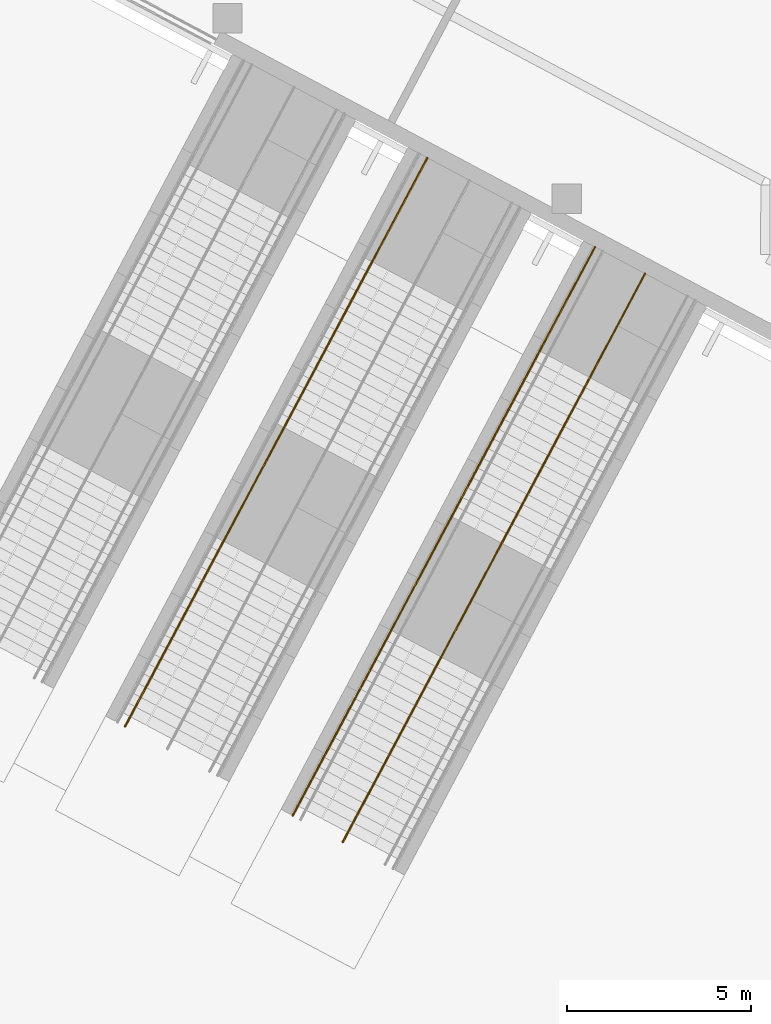
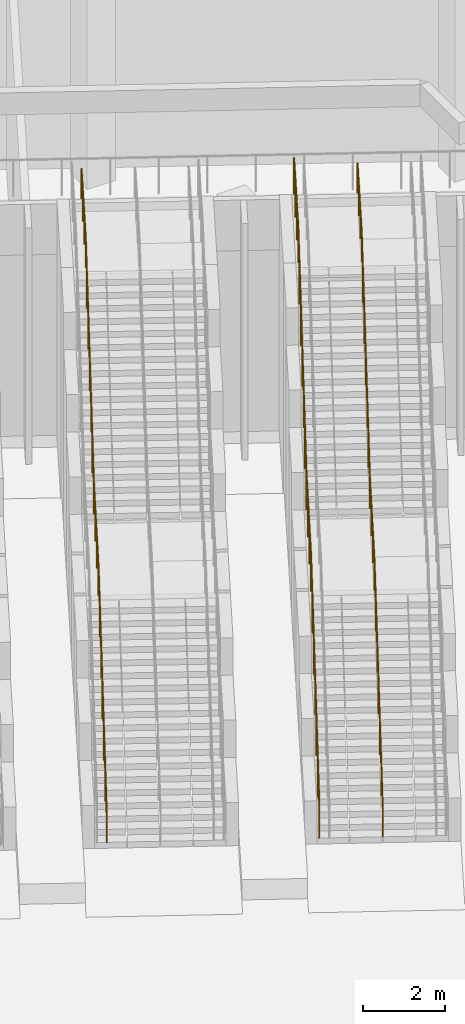
# One storey, part 40 of 57: 3 railings.
"""IFC4 building model written with IfcOpenShell, lengths in metres."""

from ifc_helpers import new_model, si_unit, direction, frame, origin, place, context, subcontext, project, spatial, polyline, outline, extrude, material, type_object, element, save


model = new_model("IFC4")

# Units and contexts
model_context = context("Model", 3, precision=1e-05, world=origin(), true_north=direction((0.0, 1.0)))
body_context = subcontext(model_context, "Body", "Model", "MODEL_VIEW")
ifc_project = project(units=[si_unit("LENGTHUNIT", "METRE"), si_unit("AREAUNIT", "SQUARE_METRE"), si_unit("VOLUMEUNIT", "CUBIC_METRE"), si_unit("PLANEANGLEUNIT", "RADIAN"), si_unit("MASSUNIT", "GRAM", prefix="KILO")], contexts=[model_context])

# Site, building, storey
site_placement = place(None, origin())
site = spatial("IfcSite", under=ifc_project, at=site_placement, CompositionType="ELEMENT")
building_placement = place(site_placement, origin())
building = spatial("IfcBuilding", under=site, at=building_placement, Name="Cormorant Relay Tower", CompositionType="ELEMENT")
storey_placement = place(building_placement, origin())
storey = spatial("IfcBuildingStorey", under=building, at=storey_placement, Name="L00", CompositionType="ELEMENT", Elevation=0.0)

# Railings
ifc_material_1 = material(Name="Stainless steel 316", Category="steel")
railing_type_1 = type_object("IfcRailingType", Name="Podium stair handrail 900", PredefinedType="HANDRAIL", material=ifc_material_1)
railing_1_placement = place(storey_placement, frame((-32.2783203125, -20.212158203125, 7.0)))
element("IfcRailing", 1, at=railing_1_placement, inside=storey, type_object=railing_type_1, Name="Stair handrail", PredefinedType="HANDRAIL", context=body_context, shape_type="SweptSolid", body=[
    extrude(outline(polyline([(0.022216796875, 0.00927734375), (0.00927734375, 0.022216796875), (-0.00927734375, 0.022216796875), (-0.022216796875, 0.00927734375), (-0.022216796875, -0.00927734375), (-0.00927734375, -0.022216796875), (0.00927734375, -0.022216796875), (0.022216796875, -0.00927734375), (0.022216796875, 0.00927734375)])), frame((0.0, 0.0, 0.8759765625), z_axis=(-0.469434248776, -0.882967432059, 0.0), x_axis=(0.882967432059, -0.469434248776, 0.0)), (0.0, 0.0, 1.0), 2.89990234375),
    extrude(outline(polyline([(0.022216796875, 0.00927734375), (0.00927734375, 0.022216796875), (-0.00927734375, 0.022216796875), (-0.022216796875, 0.00927734375), (-0.022216796875, -0.00927734375), (-0.00927734375, -0.022216796875), (0.00927734375, -0.022216796875), (0.022216796875, -0.00927734375), (0.022216796875, 0.00927734375)])), frame((-1.361328125, -2.560546875, 0.8759765625), z_axis=(-0.40552993965, -0.762667108471, -0.50386937762), x_axis=(0.882941524652, -0.469482975245, 0.0)), (0.0, 0.0, 1.0), 6.598876953125),
    extrude(outline(polyline([(0.022216796875, 0.00927734375), (0.00927734375, 0.022216796875), (-0.00927734375, 0.022216796875), (-0.022216796875, 0.00927734375), (-0.022216796875, -0.00927734375), (-0.00927734375, -0.022216796875), (0.00927734375, -0.022216796875), (0.022216796875, -0.00927734375), (0.022216796875, 0.00927734375)])), frame((-4.037353515625, -7.59326171875, -2.44921875), z_axis=(-0.468802026207, -0.881612910187, -0.05461993058), x_axis=(0.88293093413, -0.469502891958, 0.0)), (0.0, 0.0, 1.0), 3.204833984375),
    extrude(outline(polyline([(0.022216796875, 0.00927734375), (0.00927734375, 0.022216796875), (-0.00927734375, 0.022216796875), (-0.022216796875, 0.00927734375), (-0.022216796875, -0.00927734375), (-0.00927734375, -0.022216796875), (0.00927734375, -0.022216796875), (0.022216796875, -0.00927734375), (0.022216796875, 0.00927734375)])), frame((-5.539794921875, -10.418701171875, -2.6240234375), z_axis=(-0.405487583814, -0.762694027401, -0.503862719339), x_axis=(0.882968718533, -0.469431829014, 0.0)), (0.0, 0.0, 1.0), 6.598876953125),
    extrude(outline(polyline([(0.019287109375, 0.008056640625), (0.008056640625, 0.019287109375), (-0.008056640625, 0.019287109375), (-0.019287109375, 0.008056640625), (-0.019287109375, -0.008056640625), (-0.008056640625, -0.019287109375), (0.008056640625, -0.019287109375), (0.019287109375, -0.008056640625), (0.019287109375, 0.008056640625)])), origin(), (0.0, 0.0, 1.0), 0.851806640625),
    extrude(outline(polyline([(0.019287109375, 0.008056640625), (0.008056640625, 0.019287109375), (-0.008056640625, 0.019287109375), (-0.019287109375, 0.008056640625), (-0.019287109375, -0.008056640625), (-0.008056640625, -0.019287109375), (0.008056640625, -0.019287109375), (0.019287109375, -0.008056640625), (0.019287109375, 0.008056640625)])), frame((-0.453857421875, -0.853515625, 0.0)), (0.0, 0.0, 1.0), 0.851806640625),
    extrude(outline(polyline([(0.019287109375, 0.008056640625), (0.008056640625, 0.019287109375), (-0.008056640625, 0.019287109375), (-0.019287109375, 0.008056640625), (-0.019287109375, -0.008056640625), (-0.008056640625, -0.019287109375), (0.008056640625, -0.019287109375), (0.019287109375, -0.008056640625), (0.019287109375, 0.008056640625)])), frame((-0.907470703125, -1.70703125, 0.0)), (0.0, 0.0, 1.0), 0.851806640625),
    extrude(outline(polyline([(0.019287109375, 0.008056640625), (0.008056640625, 0.019287109375), (-0.008056640625, 0.019287109375), (-0.019287109375, 0.008056640625), (-0.019287109375, -0.008056640625), (-0.008056640625, -0.019287109375), (0.008056640625, -0.019287109375), (0.019287109375, -0.008056640625), (0.019287109375, 0.008056640625)])), frame((-1.361328125, -2.560546875, 0.0)), (0.0, 0.0, 1.0), 0.851806640625),
    extrude(outline(polyline([(0.019287109375, 0.008056640625), (0.008056640625, 0.019287109375), (-0.008056640625, 0.019287109375), (-0.019287109375, 0.008056640625), (-0.019287109375, -0.008056640625), (-0.008056640625, -0.019287109375), (0.008056640625, -0.019287109375), (0.019287109375, -0.008056640625), (0.019287109375, 0.008056640625)])), frame((-1.807373046875, -3.3994140625, -0.55419921875)), (0.0, 0.0, 1.0), 0.851806640625),
    extrude(outline(polyline([(0.019287109375, 0.008056640625), (0.008056640625, 0.019287109375), (-0.008056640625, 0.019287109375), (-0.019287109375, 0.008056640625), (-0.019287109375, -0.008056640625), (-0.008056640625, -0.019287109375), (0.008056640625, -0.019287109375), (0.019287109375, -0.008056640625), (0.019287109375, 0.008056640625)])), frame((-2.25341796875, -4.238037109375, -1.1083984375)), (0.0, 0.0, 1.0), 0.851806640625),
    extrude(outline(polyline([(0.019287109375, 0.008056640625), (0.008056640625, 0.019287109375), (-0.008056640625, 0.019287109375), (-0.019287109375, 0.008056640625), (-0.019287109375, -0.008056640625), (-0.008056640625, -0.019287109375), (0.008056640625, -0.019287109375), (0.019287109375, -0.008056640625), (0.019287109375, 0.008056640625)])), frame((-2.69921875, -5.076904296875, -1.66259765625)), (0.0, 0.0, 1.0), 0.851806640625),
    extrude(outline(polyline([(0.019287109375, 0.008056640625), (0.008056640625, 0.019287109375), (-0.008056640625, 0.019287109375), (-0.019287109375, 0.008056640625), (-0.019287109375, -0.008056640625), (-0.008056640625, -0.019287109375), (0.008056640625, -0.019287109375), (0.019287109375, -0.008056640625), (0.019287109375, 0.008056640625)])), frame((-3.145263671875, -5.915771484375, -2.216552734375)), (0.0, 0.0, 1.0), 0.851806640625),
    extrude(outline(polyline([(0.019287109375, 0.008056640625), (0.008056640625, 0.019287109375), (-0.008056640625, 0.019287109375), (-0.019287109375, 0.008056640625), (-0.019287109375, -0.008056640625), (-0.008056640625, -0.019287109375), (0.008056640625, -0.019287109375), (0.019287109375, -0.008056640625), (0.019287109375, 0.008056640625)])), frame((-3.59130859375, -6.75439453125, -2.770751953125)), (0.0, 0.0, 1.0), 0.851806640625),
    extrude(outline(polyline([(0.019287109375, 0.008056640625), (0.008056640625, 0.019287109375), (-0.008056640625, 0.019287109375), (-0.019287109375, 0.008056640625), (-0.019287109375, -0.008056640625), (-0.008056640625, -0.019287109375), (0.008056640625, -0.019287109375), (0.019287109375, -0.008056640625), (0.019287109375, 0.008056640625)])), frame((-4.037353515625, -7.59326171875, -3.324951171875)), (0.0, 0.0, 1.0), 0.851806640625),
    extrude(outline(polyline([(0.019287109375, 0.008056640625), (0.008056640625, 0.019287109375), (-0.008056640625, 0.019287109375), (-0.019287109375, 0.008056640625), (-0.019287109375, -0.008056640625), (-0.008056640625, -0.019287109375), (0.008056640625, -0.019287109375), (0.019287109375, -0.008056640625), (0.019287109375, 0.008056640625)])), frame((-4.5380859375, -8.53515625, -3.38330078125)), (0.0, 0.0, 1.0), 0.851806640625),
    extrude(outline(polyline([(0.019287109375, 0.008056640625), (0.008056640625, 0.019287109375), (-0.008056640625, 0.019287109375), (-0.019287109375, 0.008056640625), (-0.019287109375, -0.008056640625), (-0.008056640625, -0.019287109375), (0.008056640625, -0.019287109375), (0.019287109375, -0.008056640625), (0.019287109375, 0.008056640625)])), frame((-5.0390625, -9.476806640625, -3.441650390625)), (0.0, 0.0, 1.0), 0.851806640625),
    extrude(outline(polyline([(0.019287109375, 0.008056640625), (0.008056640625, 0.019287109375), (-0.008056640625, 0.019287109375), (-0.019287109375, 0.008056640625), (-0.019287109375, -0.008056640625), (-0.008056640625, -0.019287109375), (0.008056640625, -0.019287109375), (0.019287109375, -0.008056640625), (0.019287109375, 0.008056640625)])), frame((-5.539794921875, -10.418701171875, -3.5)), (0.0, 0.0, 1.0), 0.851806640625),
    extrude(outline(polyline([(0.019287109375, 0.008056640625), (0.008056640625, 0.019287109375), (-0.008056640625, 0.019287109375), (-0.019287109375, 0.008056640625), (-0.019287109375, -0.008056640625), (-0.008056640625, -0.019287109375), (0.008056640625, -0.019287109375), (0.019287109375, -0.008056640625), (0.019287109375, 0.008056640625)])), frame((-5.98583984375, -11.257568359375, -4.05419921875)), (0.0, 0.0, 1.0), 0.851806640625),
    extrude(outline(polyline([(0.019287109375, 0.008056640625), (0.008056640625, 0.019287109375), (-0.008056640625, 0.019287109375), (-0.019287109375, 0.008056640625), (-0.019287109375, -0.008056640625), (-0.008056640625, -0.019287109375), (0.008056640625, -0.019287109375), (0.019287109375, -0.008056640625), (0.019287109375, 0.008056640625)])), frame((-6.431640625, -12.096435546875, -4.6083984375)), (0.0, 0.0, 1.0), 0.851806640625),
    extrude(outline(polyline([(0.019287109375, 0.008056640625), (0.008056640625, 0.019287109375), (-0.008056640625, 0.019287109375), (-0.019287109375, 0.008056640625), (-0.019287109375, -0.008056640625), (-0.008056640625, -0.019287109375), (0.008056640625, -0.019287109375), (0.019287109375, -0.008056640625), (0.019287109375, 0.008056640625)])), frame((-6.877685546875, -12.93505859375, -5.16259765625)), (0.0, 0.0, 1.0), 0.851806640625),
    extrude(outline(polyline([(0.019287109375, 0.008056640625), (0.008056640625, 0.019287109375), (-0.008056640625, 0.019287109375), (-0.019287109375, 0.008056640625), (-0.019287109375, -0.008056640625), (-0.008056640625, -0.019287109375), (0.008056640625, -0.019287109375), (0.019287109375, -0.008056640625), (0.019287109375, 0.008056640625)])), frame((-7.32373046875, -13.77392578125, -5.716552734375)), (0.0, 0.0, 1.0), 0.851806640625),
    extrude(outline(polyline([(0.019287109375, 0.008056640625), (0.008056640625, 0.019287109375), (-0.008056640625, 0.019287109375), (-0.019287109375, 0.008056640625), (-0.019287109375, -0.008056640625), (-0.008056640625, -0.019287109375), (0.008056640625, -0.019287109375), (0.019287109375, -0.008056640625), (0.019287109375, 0.008056640625)])), frame((-7.76953125, -14.61279296875, -6.270751953125)), (0.0, 0.0, 1.0), 0.851806640625),
    extrude(outline(polyline([(0.019287109375, 0.008056640625), (0.008056640625, 0.019287109375), (-0.008056640625, 0.019287109375), (-0.019287109375, 0.008056640625), (-0.019287109375, -0.008056640625), (-0.008056640625, -0.019287109375), (0.008056640625, -0.019287109375), (0.019287109375, -0.008056640625), (0.019287109375, 0.008056640625)])), frame((-8.215576171875, -15.45166015625, -6.824951171875)), (0.0, 0.0, 1.0), 0.851806640625),
])
railing_2_placement = place(storey_placement, frame((-26.362548828125, -23.357666015625, 7.0)))
element("IfcRailing", 2, at=railing_2_placement, inside=storey, type_object=railing_type_1, Name="Stair handrail", PredefinedType="HANDRAIL", context=body_context, shape_type="SweptSolid", body=[
    extrude(outline(polyline([(0.022216796875, 0.00927734375), (0.00927734375, 0.022216796875), (-0.00927734375, 0.022216796875), (-0.022216796875, 0.00927734375), (-0.022216796875, -0.00927734375), (-0.00927734375, -0.022216796875), (0.00927734375, -0.022216796875), (0.022216796875, -0.00927734375), (0.022216796875, 0.00927734375)])), frame((0.0, 0.0, 0.8759765625), z_axis=(-0.469499880774, -0.882932535335, 0.0), x_axis=(0.882932535335, -0.469499880774, 0.0)), (0.0, 0.0, 1.0), 2.900146484375),
    extrude(outline(polyline([(0.022216796875, 0.00927734375), (0.00927734375, 0.022216796875), (-0.00927734375, 0.022216796875), (-0.022216796875, 0.00927734375), (-0.022216796875, -0.00927734375), (-0.00927734375, -0.022216796875), (0.00927734375, -0.022216796875), (0.022216796875, -0.00927734375), (0.022216796875, 0.00927734375)])), frame((-1.361572265625, -2.560546875, 0.8759765625), z_axis=(-0.405499025835, -0.762678550964, -0.503876937304), x_axis=(0.88295927941, -0.469449582921, 0.0)), (0.0, 0.0, 1.0), 6.5986328125),
    extrude(outline(polyline([(0.022216796875, 0.00927734375), (0.00927734375, 0.022216796875), (-0.00927734375, 0.022216796875), (-0.022216796875, 0.00927734375), (-0.022216796875, -0.00927734375), (-0.00927734375, -0.022216796875), (0.00927734375, -0.022216796875), (0.022216796875, -0.00927734375), (0.022216796875, 0.00927734375)])), frame((-4.037353515625, -7.59326171875, -2.44921875), z_axis=(-0.468802026207, -0.881612910187, -0.05461993058), x_axis=(0.88293093413, -0.469502891958, 0.0)), (0.0, 0.0, 1.0), 3.204833984375),
    extrude(outline(polyline([(0.022216796875, 0.00927734375), (0.00927734375, 0.022216796875), (-0.00927734375, 0.022216796875), (-0.022216796875, 0.00927734375), (-0.022216796875, -0.00927734375), (-0.00927734375, -0.022216796875), (0.00927734375, -0.022216796875), (0.022216796875, -0.00927734375), (0.022216796875, 0.00927734375)])), frame((-5.539794921875, -10.418701171875, -2.6240234375), z_axis=(-0.40552993965, -0.762667108471, -0.50386937762), x_axis=(0.882941524652, -0.469482975245, 0.0)), (0.0, 0.0, 1.0), 6.598876953125),
    extrude(outline(polyline([(0.019287109375, 0.008056640625), (0.008056640625, 0.019287109375), (-0.008056640625, 0.019287109375), (-0.019287109375, 0.008056640625), (-0.019287109375, -0.008056640625), (-0.008056640625, -0.019287109375), (0.008056640625, -0.019287109375), (0.019287109375, -0.008056640625), (0.019287109375, 0.008056640625)])), origin(), (0.0, 0.0, 1.0), 0.851806640625),
    extrude(outline(polyline([(0.019287109375, 0.008056640625), (0.008056640625, 0.019287109375), (-0.008056640625, 0.019287109375), (-0.019287109375, 0.008056640625), (-0.019287109375, -0.008056640625), (-0.008056640625, -0.019287109375), (0.008056640625, -0.019287109375), (0.019287109375, -0.008056640625), (0.019287109375, 0.008056640625)])), frame((-0.453857421875, -0.853515625, 0.0)), (0.0, 0.0, 1.0), 0.851806640625),
    extrude(outline(polyline([(0.019287109375, 0.008056640625), (0.008056640625, 0.019287109375), (-0.008056640625, 0.019287109375), (-0.019287109375, 0.008056640625), (-0.019287109375, -0.008056640625), (-0.008056640625, -0.019287109375), (0.008056640625, -0.019287109375), (0.019287109375, -0.008056640625), (0.019287109375, 0.008056640625)])), frame((-0.90771484375, -1.70703125, 0.0)), (0.0, 0.0, 1.0), 0.851806640625),
    extrude(outline(polyline([(0.019287109375, 0.008056640625), (0.008056640625, 0.019287109375), (-0.008056640625, 0.019287109375), (-0.019287109375, 0.008056640625), (-0.019287109375, -0.008056640625), (-0.008056640625, -0.019287109375), (0.008056640625, -0.019287109375), (0.019287109375, -0.008056640625), (0.019287109375, 0.008056640625)])), frame((-1.361572265625, -2.560546875, 0.0)), (0.0, 0.0, 1.0), 0.851806640625),
    extrude(outline(polyline([(0.019287109375, 0.008056640625), (0.008056640625, 0.019287109375), (-0.008056640625, 0.019287109375), (-0.019287109375, 0.008056640625), (-0.019287109375, -0.008056640625), (-0.008056640625, -0.019287109375), (0.008056640625, -0.019287109375), (0.019287109375, -0.008056640625), (0.019287109375, 0.008056640625)])), frame((-1.8076171875, -3.3994140625, -0.55419921875)), (0.0, 0.0, 1.0), 0.851806640625),
    extrude(outline(polyline([(0.019287109375, 0.008056640625), (0.008056640625, 0.019287109375), (-0.008056640625, 0.019287109375), (-0.019287109375, 0.008056640625), (-0.019287109375, -0.008056640625), (-0.008056640625, -0.019287109375), (0.008056640625, -0.019287109375), (0.019287109375, -0.008056640625), (0.019287109375, 0.008056640625)])), frame((-2.25341796875, -4.238037109375, -1.1083984375)), (0.0, 0.0, 1.0), 0.851806640625),
    extrude(outline(polyline([(0.019287109375, 0.008056640625), (0.008056640625, 0.019287109375), (-0.008056640625, 0.019287109375), (-0.019287109375, 0.008056640625), (-0.019287109375, -0.008056640625), (-0.008056640625, -0.019287109375), (0.008056640625, -0.019287109375), (0.019287109375, -0.008056640625), (0.019287109375, 0.008056640625)])), frame((-2.699462890625, -5.076904296875, -1.66259765625)), (0.0, 0.0, 1.0), 0.851806640625),
    extrude(outline(polyline([(0.019287109375, 0.008056640625), (0.008056640625, 0.019287109375), (-0.008056640625, 0.019287109375), (-0.019287109375, 0.008056640625), (-0.019287109375, -0.008056640625), (-0.008056640625, -0.019287109375), (0.008056640625, -0.019287109375), (0.019287109375, -0.008056640625), (0.019287109375, 0.008056640625)])), frame((-3.1455078125, -5.915771484375, -2.216552734375)), (0.0, 0.0, 1.0), 0.851806640625),
    extrude(outline(polyline([(0.019287109375, 0.008056640625), (0.008056640625, 0.019287109375), (-0.008056640625, 0.019287109375), (-0.019287109375, 0.008056640625), (-0.019287109375, -0.008056640625), (-0.008056640625, -0.019287109375), (0.008056640625, -0.019287109375), (0.019287109375, -0.008056640625), (0.019287109375, 0.008056640625)])), frame((-3.59130859375, -6.75439453125, -2.770751953125)), (0.0, 0.0, 1.0), 0.851806640625),
    extrude(outline(polyline([(0.019287109375, 0.008056640625), (0.008056640625, 0.019287109375), (-0.008056640625, 0.019287109375), (-0.019287109375, 0.008056640625), (-0.019287109375, -0.008056640625), (-0.008056640625, -0.019287109375), (0.008056640625, -0.019287109375), (0.019287109375, -0.008056640625), (0.019287109375, 0.008056640625)])), frame((-4.037353515625, -7.59326171875, -3.324951171875)), (0.0, 0.0, 1.0), 0.851806640625),
    extrude(outline(polyline([(0.019287109375, 0.008056640625), (0.008056640625, 0.019287109375), (-0.008056640625, 0.019287109375), (-0.019287109375, 0.008056640625), (-0.019287109375, -0.008056640625), (-0.008056640625, -0.019287109375), (0.008056640625, -0.019287109375), (0.019287109375, -0.008056640625), (0.019287109375, 0.008056640625)])), frame((-4.5380859375, -8.53515625, -3.38330078125)), (0.0, 0.0, 1.0), 0.851806640625),
    extrude(outline(polyline([(0.019287109375, 0.008056640625), (0.008056640625, 0.019287109375), (-0.008056640625, 0.019287109375), (-0.019287109375, 0.008056640625), (-0.019287109375, -0.008056640625), (-0.008056640625, -0.019287109375), (0.008056640625, -0.019287109375), (0.019287109375, -0.008056640625), (0.019287109375, 0.008056640625)])), frame((-5.0390625, -9.476806640625, -3.441650390625)), (0.0, 0.0, 1.0), 0.851806640625),
    extrude(outline(polyline([(0.019287109375, 0.008056640625), (0.008056640625, 0.019287109375), (-0.008056640625, 0.019287109375), (-0.019287109375, 0.008056640625), (-0.019287109375, -0.008056640625), (-0.008056640625, -0.019287109375), (0.008056640625, -0.019287109375), (0.019287109375, -0.008056640625), (0.019287109375, 0.008056640625)])), frame((-5.539794921875, -10.418701171875, -3.5)), (0.0, 0.0, 1.0), 0.851806640625),
    extrude(outline(polyline([(0.019287109375, 0.008056640625), (0.008056640625, 0.019287109375), (-0.008056640625, 0.019287109375), (-0.019287109375, 0.008056640625), (-0.019287109375, -0.008056640625), (-0.008056640625, -0.019287109375), (0.008056640625, -0.019287109375), (0.019287109375, -0.008056640625), (0.019287109375, 0.008056640625)])), frame((-5.98583984375, -11.257568359375, -4.05419921875)), (0.0, 0.0, 1.0), 0.851806640625),
    extrude(outline(polyline([(0.019287109375, 0.008056640625), (0.008056640625, 0.019287109375), (-0.008056640625, 0.019287109375), (-0.019287109375, 0.008056640625), (-0.019287109375, -0.008056640625), (-0.008056640625, -0.019287109375), (0.008056640625, -0.019287109375), (0.019287109375, -0.008056640625), (0.019287109375, 0.008056640625)])), frame((-6.431884765625, -12.09619140625, -4.6083984375)), (0.0, 0.0, 1.0), 0.851806640625),
    extrude(outline(polyline([(0.019287109375, 0.008056640625), (0.008056640625, 0.019287109375), (-0.008056640625, 0.019287109375), (-0.019287109375, 0.008056640625), (-0.019287109375, -0.008056640625), (-0.008056640625, -0.019287109375), (0.008056640625, -0.019287109375), (0.019287109375, -0.008056640625), (0.019287109375, 0.008056640625)])), frame((-6.8779296875, -12.93505859375, -5.16259765625)), (0.0, 0.0, 1.0), 0.851806640625),
    extrude(outline(polyline([(0.019287109375, 0.008056640625), (0.008056640625, 0.019287109375), (-0.008056640625, 0.019287109375), (-0.019287109375, 0.008056640625), (-0.019287109375, -0.008056640625), (-0.008056640625, -0.019287109375), (0.008056640625, -0.019287109375), (0.019287109375, -0.008056640625), (0.019287109375, 0.008056640625)])), frame((-7.32373046875, -13.77392578125, -5.716552734375)), (0.0, 0.0, 1.0), 0.851806640625),
    extrude(outline(polyline([(0.019287109375, 0.008056640625), (0.008056640625, 0.019287109375), (-0.008056640625, 0.019287109375), (-0.019287109375, 0.008056640625), (-0.019287109375, -0.008056640625), (-0.008056640625, -0.019287109375), (0.008056640625, -0.019287109375), (0.019287109375, -0.008056640625), (0.019287109375, 0.008056640625)])), frame((-7.769775390625, -14.612548828125, -6.270751953125)), (0.0, 0.0, 1.0), 0.851806640625),
    extrude(outline(polyline([(0.019287109375, 0.008056640625), (0.008056640625, 0.019287109375), (-0.008056640625, 0.019287109375), (-0.019287109375, 0.008056640625), (-0.019287109375, -0.008056640625), (-0.008056640625, -0.019287109375), (0.008056640625, -0.019287109375), (0.019287109375, -0.008056640625), (0.019287109375, 0.008056640625)])), frame((-8.2158203125, -15.451416015625, -6.824951171875)), (0.0, 0.0, 1.0), 0.851806640625),
])
ifc_material_2 = material(Name="Bronze anodised aluminium", Category="aluminium")
railing_type_2 = type_object("IfcRailingType", Name="Stair guard steel 1100", PredefinedType="GUARDRAIL", material=ifc_material_2)
railing_3_placement = place(storey_placement, frame((-27.722412109375, -22.634521484375, 7.0)))
element("IfcRailing", 3, at=railing_3_placement, inside=storey, type_object=railing_type_2, Name="Stair guard", PredefinedType="GUARDRAIL", context=body_context, shape_type="SweptSolid", body=[
    extrude(outline(polyline([(0.022216796875, 0.00927734375), (0.00927734375, 0.022216796875), (-0.00927734375, 0.022216796875), (-0.022216796875, 0.00927734375), (-0.022216796875, -0.00927734375), (-0.00927734375, -0.022216796875), (0.00927734375, -0.022216796875), (0.022216796875, -0.00927734375), (0.022216796875, 0.00927734375)])), frame((0.0, 0.0, 1.076171875), z_axis=(-0.469399355339, -0.882985982452, 0.0), x_axis=(0.882985982452, -0.469399355339, 0.0)), (0.0, 0.0, 1.0), 2.900146484375),
    extrude(outline(polyline([(0.022216796875, 0.00927734375), (0.00927734375, 0.022216796875), (-0.00927734375, 0.022216796875), (-0.022216796875, 0.00927734375), (-0.022216796875, -0.00927734375), (-0.00927734375, -0.022216796875), (0.00927734375, -0.022216796875), (0.022216796875, -0.00927734375), (0.022216796875, 0.00927734375)])), frame((-1.361328125, -2.560791015625, 1.076171875), z_axis=(-0.40552993965, -0.762667108471, -0.50386937762), x_axis=(0.882941524652, -0.469482975245, 0.0)), (0.0, 0.0, 1.0), 6.598876953125),
    extrude(outline(polyline([(0.022216796875, 0.00927734375), (0.00927734375, 0.022216796875), (-0.00927734375, 0.022216796875), (-0.022216796875, 0.00927734375), (-0.022216796875, -0.00927734375), (-0.00927734375, -0.022216796875), (0.00927734375, -0.022216796875), (0.022216796875, -0.00927734375), (0.022216796875, 0.00927734375)])), frame((-4.037353515625, -7.593505859375, -2.2490234375), z_axis=(-0.468742586737, -0.881644394004, -0.054621881146), x_axis=(0.88296255937, -0.469443413791, 0.0)), (0.0, 0.0, 1.0), 3.204833984375),
    extrude(outline(polyline([(0.022216796875, 0.00927734375), (0.00927734375, 0.022216796875), (-0.00927734375, 0.022216796875), (-0.022216796875, 0.00927734375), (-0.022216796875, -0.00927734375), (-0.00927734375, -0.022216796875), (0.00927734375, -0.022216796875), (0.022216796875, -0.00927734375), (0.022216796875, 0.00927734375)])), frame((-5.53955078125, -10.4189453125, -2.423828125), z_axis=(-0.40552993965, -0.762667108471, -0.50386937762), x_axis=(0.882941524652, -0.469482975245, 0.0)), (0.0, 0.0, 1.0), 6.598876953125),
    extrude(outline(polyline([(0.019287109375, 0.008056640625), (0.008056640625, 0.019287109375), (-0.008056640625, 0.019287109375), (-0.019287109375, 0.008056640625), (-0.019287109375, -0.008056640625), (-0.008056640625, -0.019287109375), (0.008056640625, -0.019287109375), (0.019287109375, -0.008056640625), (0.019287109375, 0.008056640625)])), origin(), (0.0, 0.0, 1.0), 1.052001953125),
    extrude(outline(polyline([(0.019287109375, 0.008056640625), (0.008056640625, 0.019287109375), (-0.008056640625, 0.019287109375), (-0.019287109375, 0.008056640625), (-0.019287109375, -0.008056640625), (-0.008056640625, -0.019287109375), (0.008056640625, -0.019287109375), (0.019287109375, -0.008056640625), (0.019287109375, 0.008056640625)])), frame((-0.453857421875, -0.853515625, 0.0)), (0.0, 0.0, 1.0), 1.052001953125),
    extrude(outline(polyline([(0.019287109375, 0.008056640625), (0.008056640625, 0.019287109375), (-0.008056640625, 0.019287109375), (-0.019287109375, 0.008056640625), (-0.019287109375, -0.008056640625), (-0.008056640625, -0.019287109375), (0.008056640625, -0.019287109375), (0.019287109375, -0.008056640625), (0.019287109375, 0.008056640625)])), frame((-0.907470703125, -1.707275390625, 0.0)), (0.0, 0.0, 1.0), 1.052001953125),
    extrude(outline(polyline([(0.019287109375, 0.008056640625), (0.008056640625, 0.019287109375), (-0.008056640625, 0.019287109375), (-0.019287109375, 0.008056640625), (-0.019287109375, -0.008056640625), (-0.008056640625, -0.019287109375), (0.008056640625, -0.019287109375), (0.019287109375, -0.008056640625), (0.019287109375, 0.008056640625)])), frame((-1.361328125, -2.560791015625, 0.0)), (0.0, 0.0, 1.0), 1.052001953125),
    extrude(outline(polyline([(0.019287109375, 0.008056640625), (0.008056640625, 0.019287109375), (-0.008056640625, 0.019287109375), (-0.019287109375, 0.008056640625), (-0.019287109375, -0.008056640625), (-0.008056640625, -0.019287109375), (0.008056640625, -0.019287109375), (0.019287109375, -0.008056640625), (0.019287109375, 0.008056640625)])), frame((-1.807373046875, -3.399658203125, -0.55419921875)), (0.0, 0.0, 1.0), 1.052001953125),
    extrude(outline(polyline([(0.019287109375, 0.008056640625), (0.008056640625, 0.019287109375), (-0.008056640625, 0.019287109375), (-0.019287109375, 0.008056640625), (-0.019287109375, -0.008056640625), (-0.008056640625, -0.019287109375), (0.008056640625, -0.019287109375), (0.019287109375, -0.008056640625), (0.019287109375, 0.008056640625)])), frame((-2.25341796875, -4.23828125, -1.1083984375)), (0.0, 0.0, 1.0), 1.052001953125),
    extrude(outline(polyline([(0.019287109375, 0.008056640625), (0.008056640625, 0.019287109375), (-0.008056640625, 0.019287109375), (-0.019287109375, 0.008056640625), (-0.019287109375, -0.008056640625), (-0.008056640625, -0.019287109375), (0.008056640625, -0.019287109375), (0.019287109375, -0.008056640625), (0.019287109375, 0.008056640625)])), frame((-2.69921875, -5.0771484375, -1.66259765625)), (0.0, 0.0, 1.0), 1.052001953125),
    extrude(outline(polyline([(0.019287109375, 0.008056640625), (0.008056640625, 0.019287109375), (-0.008056640625, 0.019287109375), (-0.019287109375, 0.008056640625), (-0.019287109375, -0.008056640625), (-0.008056640625, -0.019287109375), (0.008056640625, -0.019287109375), (0.019287109375, -0.008056640625), (0.019287109375, 0.008056640625)])), frame((-3.145263671875, -5.916015625, -2.216552734375)), (0.0, 0.0, 1.0), 1.052001953125),
    extrude(outline(polyline([(0.019287109375, 0.008056640625), (0.008056640625, 0.019287109375), (-0.008056640625, 0.019287109375), (-0.019287109375, 0.008056640625), (-0.019287109375, -0.008056640625), (-0.008056640625, -0.019287109375), (0.008056640625, -0.019287109375), (0.019287109375, -0.008056640625), (0.019287109375, 0.008056640625)])), frame((-3.59130859375, -6.754638671875, -2.770751953125)), (0.0, 0.0, 1.0), 1.052001953125),
    extrude(outline(polyline([(0.019287109375, 0.008056640625), (0.008056640625, 0.019287109375), (-0.008056640625, 0.019287109375), (-0.019287109375, 0.008056640625), (-0.019287109375, -0.008056640625), (-0.008056640625, -0.019287109375), (0.008056640625, -0.019287109375), (0.019287109375, -0.008056640625), (0.019287109375, 0.008056640625)])), frame((-4.037353515625, -7.593505859375, -3.324951171875)), (0.0, 0.0, 1.0), 1.052001953125),
    extrude(outline(polyline([(0.019287109375, 0.008056640625), (0.008056640625, 0.019287109375), (-0.008056640625, 0.019287109375), (-0.019287109375, 0.008056640625), (-0.019287109375, -0.008056640625), (-0.008056640625, -0.019287109375), (0.008056640625, -0.019287109375), (0.019287109375, -0.008056640625), (0.019287109375, 0.008056640625)])), frame((-4.5380859375, -8.535400390625, -3.38330078125)), (0.0, 0.0, 1.0), 1.052001953125),
    extrude(outline(polyline([(0.019287109375, 0.008056640625), (0.008056640625, 0.019287109375), (-0.008056640625, 0.019287109375), (-0.019287109375, 0.008056640625), (-0.019287109375, -0.008056640625), (-0.008056640625, -0.019287109375), (0.008056640625, -0.019287109375), (0.019287109375, -0.008056640625), (0.019287109375, 0.008056640625)])), frame((-5.038818359375, -9.47705078125, -3.441650390625)), (0.0, 0.0, 1.0), 1.052001953125),
    extrude(outline(polyline([(0.019287109375, 0.008056640625), (0.008056640625, 0.019287109375), (-0.008056640625, 0.019287109375), (-0.019287109375, 0.008056640625), (-0.019287109375, -0.008056640625), (-0.008056640625, -0.019287109375), (0.008056640625, -0.019287109375), (0.019287109375, -0.008056640625), (0.019287109375, 0.008056640625)])), frame((-5.53955078125, -10.4189453125, -3.5)), (0.0, 0.0, 1.0), 1.052001953125),
    extrude(outline(polyline([(0.019287109375, 0.008056640625), (0.008056640625, 0.019287109375), (-0.008056640625, 0.019287109375), (-0.019287109375, 0.008056640625), (-0.019287109375, -0.008056640625), (-0.008056640625, -0.019287109375), (0.008056640625, -0.019287109375), (0.019287109375, -0.008056640625), (0.019287109375, 0.008056640625)])), frame((-5.985595703125, -11.2578125, -4.05419921875)), (0.0, 0.0, 1.0), 1.052001953125),
    extrude(outline(polyline([(0.019287109375, 0.008056640625), (0.008056640625, 0.019287109375), (-0.008056640625, 0.019287109375), (-0.019287109375, 0.008056640625), (-0.019287109375, -0.008056640625), (-0.008056640625, -0.019287109375), (0.008056640625, -0.019287109375), (0.019287109375, -0.008056640625), (0.019287109375, 0.008056640625)])), frame((-6.431640625, -12.096435546875, -4.6083984375)), (0.0, 0.0, 1.0), 1.052001953125),
    extrude(outline(polyline([(0.019287109375, 0.008056640625), (0.008056640625, 0.019287109375), (-0.008056640625, 0.019287109375), (-0.019287109375, 0.008056640625), (-0.019287109375, -0.008056640625), (-0.008056640625, -0.019287109375), (0.008056640625, -0.019287109375), (0.019287109375, -0.008056640625), (0.019287109375, 0.008056640625)])), frame((-6.87744140625, -12.935302734375, -5.16259765625)), (0.0, 0.0, 1.0), 1.052001953125),
    extrude(outline(polyline([(0.019287109375, 0.008056640625), (0.008056640625, 0.019287109375), (-0.008056640625, 0.019287109375), (-0.019287109375, 0.008056640625), (-0.019287109375, -0.008056640625), (-0.008056640625, -0.019287109375), (0.008056640625, -0.019287109375), (0.019287109375, -0.008056640625), (0.019287109375, 0.008056640625)])), frame((-7.323486328125, -13.774169921875, -5.716552734375)), (0.0, 0.0, 1.0), 1.052001953125),
    extrude(outline(polyline([(0.019287109375, 0.008056640625), (0.008056640625, 0.019287109375), (-0.008056640625, 0.019287109375), (-0.019287109375, 0.008056640625), (-0.019287109375, -0.008056640625), (-0.008056640625, -0.019287109375), (0.008056640625, -0.019287109375), (0.019287109375, -0.008056640625), (0.019287109375, 0.008056640625)])), frame((-7.76953125, -14.61279296875, -6.270751953125)), (0.0, 0.0, 1.0), 1.052001953125),
    extrude(outline(polyline([(0.019287109375, 0.008056640625), (0.008056640625, 0.019287109375), (-0.008056640625, 0.019287109375), (-0.019287109375, 0.008056640625), (-0.019287109375, -0.008056640625), (-0.008056640625, -0.019287109375), (0.008056640625, -0.019287109375), (0.019287109375, -0.008056640625), (0.019287109375, 0.008056640625)])), frame((-8.215576171875, -15.45166015625, -6.824951171875)), (0.0, 0.0, 1.0), 1.052001953125),
])

save(model, "model.ifc")
